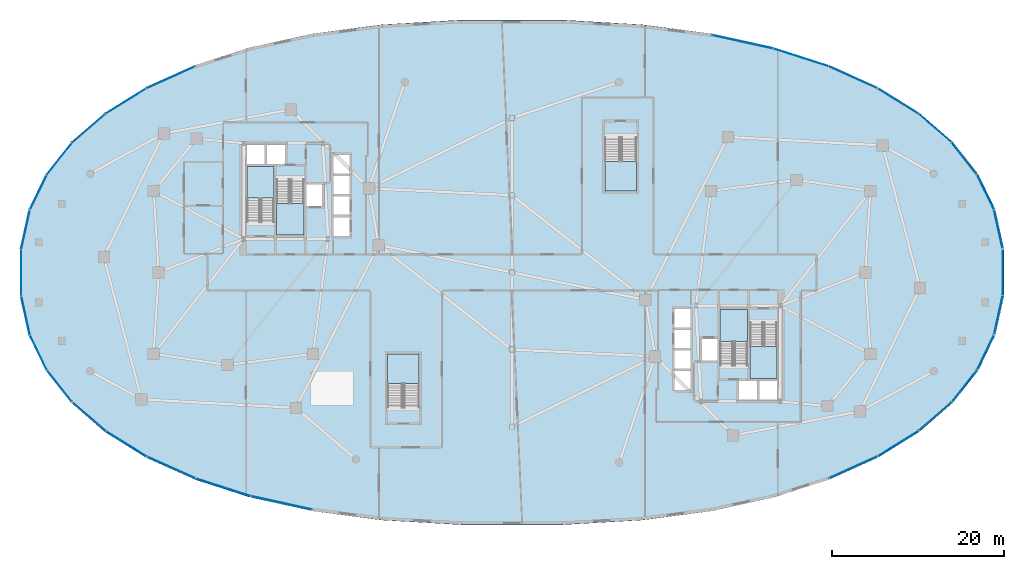
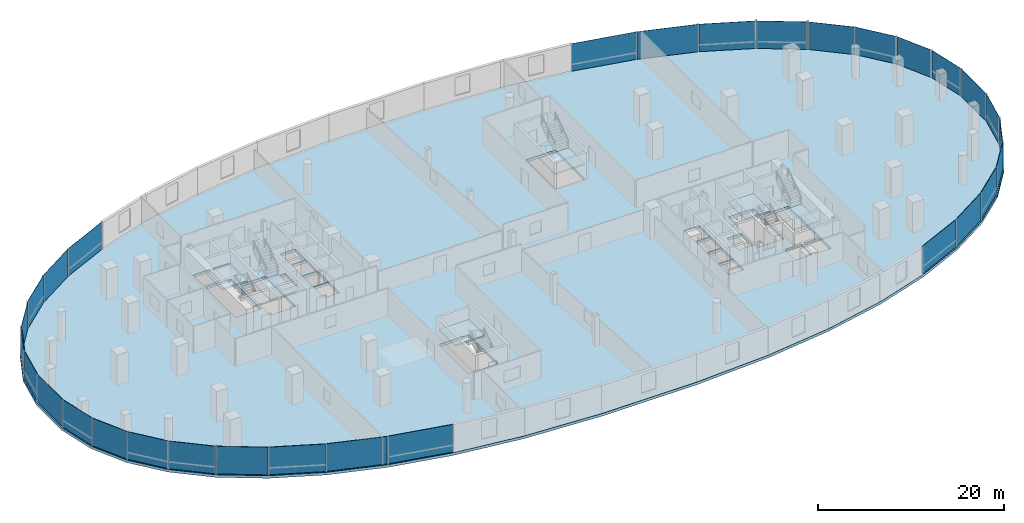
# One storey, part 11 of 19: 30 plates, 7 slabs, 13 elements without a shape of their own.
"""IFC4 building model written with IfcOpenShell, lengths in metres."""

from ifc_helpers import new_model, si_unit, direction, frame, origin, origin_2d, place, context, subcontext, project, spatial, polyline, rectangle, outline, extrude, material, layer, layer_set, type_object, element, aggregate, save


model = new_model("IFC4")

# Units and contexts
model_context = context("Model", 3, precision=1e-05, world=origin(), true_north=direction((0.0, 1.0)))
body_context = subcontext(model_context, "Body", "Model", "MODEL_VIEW")
ifc_project = project(units=[si_unit("LENGTHUNIT", "METRE"), si_unit("AREAUNIT", "SQUARE_METRE"), si_unit("VOLUMEUNIT", "CUBIC_METRE"), si_unit("PLANEANGLEUNIT", "RADIAN"), si_unit("MASSUNIT", "GRAM", prefix="KILO"), si_unit("THERMODYNAMICTEMPERATUREUNIT", "KELVIN"), si_unit("POWERUNIT", "WATT")], contexts=[model_context])

# Site, building, storey
site_placement = place(None, origin())
site = spatial("IfcSite", under=ifc_project, at=site_placement, CompositionType="ELEMENT")
building_placement = place(site_placement, origin())
building = spatial("IfcBuilding", under=site, at=building_placement, Name="Cundina Bronze Exchange", CompositionType="ELEMENT")
storey_placement = place(building_placement, frame((0.0, 0.0, 16.0)))
storey = spatial("IfcBuildingStorey", under=building, at=storey_placement, Name="L03", CompositionType="ELEMENT", Elevation=16.0)

# Curtain wall, plates
ifc_material_1 = material(Name="Anodised Bronze Aluminium 6063-T6", Category="aluminium")
curtain_wall_type = type_object("IfcCurtainWallType", Name="CWS-POD-CONC", PredefinedType="NOTDEFINED", material=ifc_material_1)
curtain_wall_1_placement = place(storey_placement, origin())
curtain_wall_1 = element("IfcCurtainWall", 1, at=curtain_wall_1_placement, inside=storey, type_object=curtain_wall_type, Name="L03 CW-01 Curtain Wall Run CWR-L03-01", PredefinedType="NOTDEFINED")
ifc_material_2 = material(Name="Heat-Strengthened Solar-Control Bronze Safety Glass 28mm", Category="glass")
ifc_layer_1 = layer(ifc_material_2, 0.033935546875, Name="Heat-Strengthened Solar-Control Bronze Safety Glass 28mm", Category="glass")
ifc_layer_set_1 = layer_set([ifc_layer_1], Name="Heat-Strengthened Solar-Control Bronze Safety Glass 28mm")
plate_type_1 = type_object("IfcPlateType", Name="PLT-GLZ-POD34", PredefinedType="CURTAIN_PANEL", material=ifc_layer_set_1)
plate_1_placement = place(storey_placement, frame((56.7294921875, 4.99951171875, 0.02001953125), z_axis=(0.0, 0.0, 1.0), x_axis=(-0.214496674701, 0.976724718916, 0.0)))
plate_1 = element("IfcPlate", 2, at=plate_1_placement, type_object=plate_type_1, Name="CW-01 Glazed Panel 1", PredefinedType="CURTAIN_PANEL", context=body_context, shape_type="SweptSolid", body=[
    extrude(rectangle(XDim=4.60009765625, YDim=0.033935546875, at=origin_2d()), origin(), (0.0, 0.0, 1.0), 3.610107421875),
])
plate_2_placement = place(storey_placement, frame((55.237548828125, 9.3232421875, 0.02001953125), z_axis=(0.0, 0.0, 1.0), x_axis=(-0.435765282624, 0.900060341566, 0.0)))
plate_2 = element("IfcPlate", 3, at=plate_2_placement, type_object=plate_type_1, Name="CW-01 Glazed Panel 2", PredefinedType="CURTAIN_PANEL", context=body_context, shape_type="SweptSolid", body=[
    extrude(rectangle(XDim=4.499755859375, YDim=0.033935546875, at=origin_2d()), origin(), (0.0, 0.0, 1.0), 3.610107421875),
])
plate_3_placement = place(storey_placement, frame((52.768798828125, 13.24462890625, 0.02001953125), z_axis=(0.0, 0.0, 1.0), x_axis=(-0.619463952441, 0.785025102545, 0.0)))
plate_3 = element("IfcPlate", 4, at=plate_3_placement, type_object=plate_type_1, Name="CW-01 Glazed Panel 3", PredefinedType="CURTAIN_PANEL", context=body_context, shape_type="SweptSolid", body=[
    extrude(rectangle(XDim=4.7060546875, YDim=0.033935546875, at=origin_2d()), origin(), (0.0, 0.0, 1.0), 3.610107421875),
])
plate_4_placement = place(storey_placement, frame((49.346923828125, 16.802490234375, 0.02001953125), z_axis=(0.0, 0.0, 1.0), x_axis=(-0.755556279398, 0.655083741717, 0.0)))
plate_4 = element("IfcPlate", 5, at=plate_4_placement, type_object=plate_type_1, Name="CW-01 Glazed Panel 4", PredefinedType="CURTAIN_PANEL", context=body_context, shape_type="SweptSolid", body=[
    extrude(rectangle(XDim=5.0849609375, YDim=0.033935546875, at=origin_2d()), origin(), (0.0, 0.0, 1.0), 3.610107421875),
])

curtain_wall_2_placement = place(storey_placement, origin())
curtain_wall_2 = element("IfcCurtainWall", 6, at=curtain_wall_2_placement, inside=storey, type_object=curtain_wall_type, Name="L03 CW-01 Curtain Wall Run CWR-L03-02", PredefinedType="NOTDEFINED")
plate_5_placement = place(storey_placement, frame((39.789794921875, 22.73876953125, 0.02001953125), z_axis=(0.0, 0.0, 1.0), x_axis=(-0.911647313688, 0.41097344859, 0.0)))
plate_5 = element("IfcPlate", 7, at=plate_5_placement, type_object=plate_type_1, Name="CW-01 Glazed Panel 1", PredefinedType="CURTAIN_PANEL", context=body_context, shape_type="SweptSolid", body=[
    extrude(rectangle(XDim=6.11962890625, YDim=0.033935546875, at=origin_2d()), origin(), (0.0, 0.0, 1.0), 3.610107421875),
])
plate_6_placement = place(storey_placement, frame((33.738037109375, 25.051513671875, 0.02001953125), z_axis=(0.0, 0.0, 1.0), x_axis=(-0.951840858876, 0.306592529873, 0.0)))
plate_6 = element("IfcPlate", 8, at=plate_6_placement, type_object=plate_type_1, Name="CW-01 Glazed Panel 2", PredefinedType="CURTAIN_PANEL", context=body_context, shape_type="SweptSolid", body=[
    extrude(rectangle(XDim=6.71044921875, YDim=0.033935546875, at=origin_2d()), origin(), (0.0, 0.0, 1.0), 3.610107421875),
])
plate_7_placement = place(storey_placement, frame((26.882568359375, 26.884765625, 0.02001953125), z_axis=(0.0, 0.0, 1.0), x_axis=(-0.9769078017, 0.213661290314, 0.0)))
plate_7 = element("IfcPlate", 9, at=plate_7_placement, type_object=plate_type_1, Name="CW-01 Glazed Panel 3", PredefinedType="CURTAIN_PANEL", context=body_context, shape_type="SweptSolid", body=[
    extrude(rectangle(XDim=7.3466796875, YDim=0.033935546875, at=origin_2d()), origin(), (0.0, 0.0, 1.0), 3.610107421875),
])
aggregate(curtain_wall_2, [plate_5, plate_6, plate_7])

curtain_wall_3_placement = place(storey_placement, origin())
curtain_wall_3 = element("IfcCurtainWall", 10, at=curtain_wall_3_placement, inside=storey, type_object=curtain_wall_type, Name="L03 CW-01 Curtain Wall Run CWR-L03-03", PredefinedType="NOTDEFINED")
plate_8_placement = place(storey_placement, frame((-39.789794921875, 22.73876953125, 0.02001953125), z_axis=(0.0, 0.0, 1.0), x_axis=(-0.911647313688, -0.41097344859, 0.0)))
plate_8 = element("IfcPlate", 11, at=plate_8_placement, type_object=plate_type_1, Name="CW-01 Glazed Panel 1", PredefinedType="CURTAIN_PANEL", context=body_context, shape_type="SweptSolid", body=[
    extrude(rectangle(XDim=6.11962890625, YDim=0.033935546875, at=origin_2d()), origin(), (0.0, 0.0, 1.0), 3.610107421875),
])
plate_9_placement = place(storey_placement, frame((-45.007080078125, 19.977783203125, 0.02001953125), z_axis=(0.0, 0.0, 1.0), x_axis=(-0.849294333819, -0.527919628867, 0.0)))
plate_9 = element("IfcPlate", 12, at=plate_9_placement, type_object=plate_type_1, Name="CW-01 Glazed Panel 2", PredefinedType="CURTAIN_PANEL", context=body_context, shape_type="SweptSolid", body=[
    extrude(rectangle(XDim=5.570068359375, YDim=0.033935546875, at=origin_2d()), origin(), (0.0, 0.0, 1.0), 3.610107421875),
])
plate_10_placement = place(storey_placement, frame((-52.768798828125, 13.24462890625, 0.02001953125), z_axis=(0.0, 0.0, 1.0), x_axis=(-0.619463952441, -0.785025102545, 0.0)))
plate_10 = element("IfcPlate", 13, at=plate_10_placement, type_object=plate_type_1, Name="CW-01 Glazed Panel 4", PredefinedType="CURTAIN_PANEL", context=body_context, shape_type="SweptSolid", body=[
    extrude(rectangle(XDim=4.7060546875, YDim=0.033935546875, at=origin_2d()), origin(), (0.0, 0.0, 1.0), 3.610107421875),
])
plate_11_placement = place(storey_placement, frame((-55.237548828125, 9.3232421875, 0.02001953125), z_axis=(0.0, 0.0, 1.0), x_axis=(-0.435765282624, -0.900060341566, 0.0)))
plate_11 = element("IfcPlate", 14, at=plate_11_placement, type_object=plate_type_1, Name="CW-01 Glazed Panel 5", PredefinedType="CURTAIN_PANEL", context=body_context, shape_type="SweptSolid", body=[
    extrude(rectangle(XDim=4.499755859375, YDim=0.033935546875, at=origin_2d()), origin(), (0.0, 0.0, 1.0), 3.610107421875),
])

curtain_wall_4_placement = place(storey_placement, origin())
curtain_wall_4 = element("IfcCurtainWall", 15, at=curtain_wall_4_placement, inside=storey, type_object=curtain_wall_type, Name="L03 CW-01 Curtain Wall Run CWR-L03-04", PredefinedType="NOTDEFINED")
plate_12_placement = place(storey_placement, frame((-56.7294921875, 4.99951171875, 0.02001953125), z_axis=(0.0, 0.0, 1.0), x_axis=(-0.214496674701, -0.976724718916, 0.0)))
plate_12 = element("IfcPlate", 16, at=plate_12_placement, type_object=plate_type_1, Name="CW-01 Glazed Panel 1", PredefinedType="CURTAIN_PANEL", context=body_context, shape_type="SweptSolid", body=[
    extrude(rectangle(XDim=4.60009765625, YDim=0.033935546875, at=origin_2d()), origin(), (0.0, 0.0, 1.0), 3.610107421875),
])
plate_13_placement = place(storey_placement, frame((-56.7294921875, -4.99951171875, 0.02001953125), z_axis=(0.0, 0.0, 1.0), x_axis=(0.214496674701, -0.976724718916, 0.0)))
plate_13 = element("IfcPlate", 17, at=plate_13_placement, type_object=plate_type_1, Name="CW-01 Glazed Panel 3", PredefinedType="CURTAIN_PANEL", context=body_context, shape_type="SweptSolid", body=[
    extrude(rectangle(XDim=4.60009765625, YDim=0.033935546875, at=origin_2d()), origin(), (0.0, 0.0, 1.0), 3.610107421875),
])
plate_14_placement = place(storey_placement, frame((-55.237548828125, -9.3232421875, 0.02001953125), z_axis=(0.0, 0.0, 1.0), x_axis=(0.435765282624, -0.900060341566, 0.0)))
plate_14 = element("IfcPlate", 18, at=plate_14_placement, type_object=plate_type_1, Name="CW-01 Glazed Panel 4", PredefinedType="CURTAIN_PANEL", context=body_context, shape_type="SweptSolid", body=[
    extrude(rectangle(XDim=4.499755859375, YDim=0.033935546875, at=origin_2d()), origin(), (0.0, 0.0, 1.0), 3.610107421875),
])
plate_15_placement = place(storey_placement, frame((-52.768798828125, -13.24462890625, 0.02001953125), z_axis=(0.0, 0.0, 1.0), x_axis=(0.619463952441, -0.785025102545, 0.0)))
plate_15 = element("IfcPlate", 19, at=plate_15_placement, type_object=plate_type_1, Name="CW-01 Glazed Panel 5", PredefinedType="CURTAIN_PANEL", context=body_context, shape_type="SweptSolid", body=[
    extrude(rectangle(XDim=4.7060546875, YDim=0.033935546875, at=origin_2d()), origin(), (0.0, 0.0, 1.0), 3.610107421875),
])

curtain_wall_5_placement = place(storey_placement, origin())
curtain_wall_5 = element("IfcCurtainWall", 20, at=curtain_wall_5_placement, inside=storey, type_object=curtain_wall_type, Name="L03 CW-01 Curtain Wall Run CWR-L03-05", PredefinedType="NOTDEFINED")
plate_16_placement = place(storey_placement, frame((-45.007080078125, -19.977783203125, 0.02001953125), z_axis=(0.0, 0.0, 1.0), x_axis=(0.849294333819, -0.527919628867, 0.0)))
plate_16 = element("IfcPlate", 21, at=plate_16_placement, type_object=plate_type_1, Name="CW-01 Glazed Panel 2", PredefinedType="CURTAIN_PANEL", context=body_context, shape_type="SweptSolid", body=[
    extrude(rectangle(XDim=5.570068359375, YDim=0.033935546875, at=origin_2d()), origin(), (0.0, 0.0, 1.0), 3.610107421875),
])
plate_17_placement = place(storey_placement, frame((-39.789794921875, -22.73876953125, 0.02001953125), z_axis=(0.0, 0.0, 1.0), x_axis=(0.911647313688, -0.41097344859, 0.0)))
plate_17 = element("IfcPlate", 22, at=plate_17_placement, type_object=plate_type_1, Name="CW-01 Glazed Panel 3", PredefinedType="CURTAIN_PANEL", context=body_context, shape_type="SweptSolid", body=[
    extrude(rectangle(XDim=6.11962890625, YDim=0.033935546875, at=origin_2d()), origin(), (0.0, 0.0, 1.0), 3.610107421875),
])
plate_18_placement = place(storey_placement, frame((-33.738037109375, -25.051513671875, 0.02001953125), z_axis=(0.0, 0.0, 1.0), x_axis=(0.951840858876, -0.306592529873, 0.0)))
plate_18 = element("IfcPlate", 23, at=plate_18_placement, type_object=plate_type_1, Name="CW-01 Glazed Panel 4", PredefinedType="CURTAIN_PANEL", context=body_context, shape_type="SweptSolid", body=[
    extrude(rectangle(XDim=6.71044921875, YDim=0.033935546875, at=origin_2d()), origin(), (0.0, 0.0, 1.0), 3.610107421875),
])
plate_19_placement = place(storey_placement, frame((-26.882568359375, -26.884765625, 0.02001953125), z_axis=(0.0, 0.0, 1.0), x_axis=(0.9769078017, -0.213661290314, 0.0)))
plate_19 = element("IfcPlate", 24, at=plate_19_placement, type_object=plate_type_1, Name="CW-01 Glazed Panel 5", PredefinedType="CURTAIN_PANEL", context=body_context, shape_type="SweptSolid", body=[
    extrude(rectangle(XDim=7.3466796875, YDim=0.033935546875, at=origin_2d()), origin(), (0.0, 0.0, 1.0), 3.610107421875),
])

curtain_wall_6_placement = place(storey_placement, origin())
curtain_wall_6 = element("IfcCurtainWall", 25, at=curtain_wall_6_placement, inside=storey, type_object=curtain_wall_type, Name="L03 CW-01 Curtain Wall Run CWR-L03-06", PredefinedType="NOTDEFINED")
plate_20_placement = place(storey_placement, frame((39.789794921875, -22.73876953125, 0.02001953125), z_axis=(0.0, 0.0, 1.0), x_axis=(0.911647313688, 0.41097344859, 0.0)))
plate_20 = element("IfcPlate", 26, at=plate_20_placement, type_object=plate_type_1, Name="CW-01 Glazed Panel 1", PredefinedType="CURTAIN_PANEL", context=body_context, shape_type="SweptSolid", body=[
    extrude(rectangle(XDim=6.11962890625, YDim=0.033935546875, at=origin_2d()), origin(), (0.0, 0.0, 1.0), 3.610107421875),
])
plate_21_placement = place(storey_placement, frame((45.007080078125, -19.977783203125, 0.02001953125), z_axis=(0.0, 0.0, 1.0), x_axis=(0.849294333819, 0.527919628867, 0.0)))
plate_21 = element("IfcPlate", 27, at=plate_21_placement, type_object=plate_type_1, Name="CW-01 Glazed Panel 2", PredefinedType="CURTAIN_PANEL", context=body_context, shape_type="SweptSolid", body=[
    extrude(rectangle(XDim=5.570068359375, YDim=0.033935546875, at=origin_2d()), origin(), (0.0, 0.0, 1.0), 3.610107421875),
])
plate_22_placement = place(storey_placement, frame((49.346923828125, -16.802490234375, 0.02001953125), z_axis=(0.0, 0.0, 1.0), x_axis=(0.755556279398, 0.655083741717, 0.0)))
plate_22 = element("IfcPlate", 28, at=plate_22_placement, type_object=plate_type_1, Name="CW-01 Glazed Panel 3", PredefinedType="CURTAIN_PANEL", context=body_context, shape_type="SweptSolid", body=[
    extrude(rectangle(XDim=5.0849609375, YDim=0.033935546875, at=origin_2d()), origin(), (0.0, 0.0, 1.0), 3.610107421875),
])
plate_23_placement = place(storey_placement, frame((52.768798828125, -13.24462890625, 0.02001953125), z_axis=(0.0, 0.0, 1.0), x_axis=(0.619463952441, 0.785025102545, 0.0)))
plate_23 = element("IfcPlate", 29, at=plate_23_placement, type_object=plate_type_1, Name="CW-01 Glazed Panel 4", PredefinedType="CURTAIN_PANEL", context=body_context, shape_type="SweptSolid", body=[
    extrude(rectangle(XDim=4.7060546875, YDim=0.033935546875, at=origin_2d()), origin(), (0.0, 0.0, 1.0), 3.610107421875),
])

curtain_wall_7_placement = place(storey_placement, origin())
curtain_wall_7 = element("IfcCurtainWall", 30, at=curtain_wall_7_placement, inside=storey, type_object=curtain_wall_type, Name="L03 CW-01 Curtain Wall Run CWR-L03-07", PredefinedType="NOTDEFINED")
plate_24_placement = place(storey_placement, frame((56.7294921875, -4.99951171875, 0.02001953125), z_axis=(0.0, 0.0, 1.0), x_axis=(0.214496674701, 0.976724718916, 0.0)))
plate_24 = element("IfcPlate", 31, at=plate_24_placement, type_object=plate_type_1, Name="CW-01 Glazed Panel 1", PredefinedType="CURTAIN_PANEL", context=body_context, shape_type="SweptSolid", body=[
    extrude(rectangle(XDim=4.60009765625, YDim=0.033935546875, at=origin_2d()), origin(), (0.0, 0.0, 1.0), 3.610107421875),
])
plate_25_placement = place(storey_placement, frame((57.22900390625, 0.0, 0.02001953125), z_axis=(0.0, 0.0, 1.0), x_axis=(0.0, 1.0, 0.0)))
plate_25 = element("IfcPlate", 32, at=plate_25_placement, type_object=plate_type_1, Name="CW-01 Glazed Panel 2", PredefinedType="CURTAIN_PANEL", context=body_context, shape_type="SweptSolid", body=[
    extrude(rectangle(XDim=5.389892578125, YDim=0.033935546875, at=origin_2d()), origin(), (0.0, 0.0, 1.0), 3.610107421875),
])
aggregate(curtain_wall_7, [plate_24, plate_25])

# Plate
ifc_material_3 = material(Name="Dark Bronze Spandrel Glass Panel 32mm", Category="glass")
ifc_layer_2 = layer(ifc_material_3, 0.031982421875, Name="Dark Bronze Spandrel Glass Panel 32mm", Category="glass")
ifc_layer_set_2 = layer_set([ifc_layer_2], Name="Dark Bronze Spandrel Glass Panel 32mm")
plate_type_2 = type_object("IfcPlateType", Name="PLT-SPN-BRZ32", PredefinedType="CURTAIN_PANEL", material=ifc_layer_set_2)
plate_26_placement = place(storey_placement, frame((45.007080078125, 19.977783203125, 0.02001953125), z_axis=(0.0, 0.0, 1.0), x_axis=(-0.849294333819, 0.527919628867, 0.0)))
plate_26 = element("IfcPlate", 33, at=plate_26_placement, type_object=plate_type_2, Name="CW-01 Glazed Panel 5", PredefinedType="CURTAIN_PANEL", context=body_context, shape_type="SweptSolid", body=[
    extrude(rectangle(XDim=5.570068359375, YDim=0.031982421875, at=origin_2d()), origin(), (0.0, 0.0, 1.0), 3.610107421875),
])

aggregate(curtain_wall_1, [plate_1, plate_2, plate_3, plate_4, plate_26])

plate_27_placement = place(storey_placement, frame((-49.346923828125, 16.802490234375, 0.02001953125), z_axis=(0.0, 0.0, 1.0), x_axis=(-0.755556279398, -0.655083741717, 0.0)))
plate_27 = element("IfcPlate", 34, at=plate_27_placement, type_object=plate_type_2, Name="CW-01 Glazed Panel 3", PredefinedType="CURTAIN_PANEL", context=body_context, shape_type="SweptSolid", body=[
    extrude(rectangle(XDim=5.0849609375, YDim=0.031982421875, at=origin_2d()), origin(), (0.0, 0.0, 1.0), 3.610107421875),
])

aggregate(curtain_wall_3, [plate_8, plate_9, plate_27, plate_10, plate_11])

plate_28_placement = place(storey_placement, frame((-57.22900390625, 0.0, 0.02001953125), z_axis=(0.0, 0.0, 1.0), x_axis=(0.0, -1.0, 0.0)))
plate_28 = element("IfcPlate", 35, at=plate_28_placement, type_object=plate_type_2, Name="CW-01 Glazed Panel 2", PredefinedType="CURTAIN_PANEL", context=body_context, shape_type="SweptSolid", body=[
    extrude(rectangle(XDim=5.389892578125, YDim=0.031982421875, at=origin_2d()), origin(), (0.0, 0.0, 1.0), 3.610107421875),
])

aggregate(curtain_wall_4, [plate_12, plate_28, plate_13, plate_14, plate_15])

plate_29_placement = place(storey_placement, frame((-49.346923828125, -16.802490234375, 0.02001953125), z_axis=(0.0, 0.0, 1.0), x_axis=(0.755556279398, -0.655083741717, 0.0)))
plate_29 = element("IfcPlate", 36, at=plate_29_placement, type_object=plate_type_2, Name="CW-01 Glazed Panel 1", PredefinedType="CURTAIN_PANEL", context=body_context, shape_type="SweptSolid", body=[
    extrude(rectangle(XDim=5.0849609375, YDim=0.031982421875, at=origin_2d()), origin(), (0.0, 0.0, 1.0), 3.610107421875),
])

aggregate(curtain_wall_5, [plate_29, plate_16, plate_17, plate_18, plate_19])

plate_30_placement = place(storey_placement, frame((55.237548828125, -9.3232421875, 0.02001953125), z_axis=(0.0, 0.0, 1.0), x_axis=(0.435765282624, 0.900060341566, 0.0)))
plate_30 = element("IfcPlate", 37, at=plate_30_placement, type_object=plate_type_2, Name="CW-01 Glazed Panel 5", PredefinedType="CURTAIN_PANEL", context=body_context, shape_type="SweptSolid", body=[
    extrude(rectangle(XDim=4.499755859375, YDim=0.031982421875, at=origin_2d()), origin(), (0.0, 0.0, 1.0), 3.610107421875),
])

aggregate(curtain_wall_6, [plate_20, plate_21, plate_22, plate_23, plate_30])

# Stair, slab
ifc_material_4 = material(Name="Concrete C40/50", Category="concrete")
stair_type_1 = type_object("IfcStairType", Name="STR-POD-400", PredefinedType="HALF_TURN_STAIR", material=ifc_material_4)
stair_1_placement = place(storey_placement, origin())
stair_1 = element("IfcStair", 38, at=stair_1_placement, inside=storey, type_object=stair_type_1, Name="L03 Smokeproof Exit Stair W1", PredefinedType="HALF_TURN_STAIR")
ifc_layer_3 = layer(ifc_material_4, 0.199951171875, Name="Concrete C40/50", Category="concrete")
ifc_layer_set_3 = layer_set([ifc_layer_3], Name="Concrete C40/50")
slab_type_1 = type_object("IfcSlabType", Name="SLB-LND-200", PredefinedType="LANDING", material=ifc_layer_set_3)
slab_1_placement = place(storey_placement, frame((0.0, 0.0, 1.800048828125)))
slab_1 = element("IfcSlab", 39, at=slab_1_placement, type_object=slab_type_1, Name="ST-W1 landing 1", PredefinedType="LANDING", context=body_context, shape_type="SweptSolid", body=[
    extrude(outline(polyline([(-27.739990234375, 8.64990234375), (-27.739990234375, 12.35009765625), (-30.89990234375, 12.35009765625), (-30.89990234375, 8.64990234375), (-27.739990234375, 8.64990234375)])), origin(), (0.0, 0.0, 1.0), 0.199951171875),
])
aggregate(stair_1, [slab_1])

stair_2_placement = place(storey_placement, origin())
stair_2 = element("IfcStair", 40, at=stair_2_placement, inside=storey, type_object=stair_type_1, Name="L03 Smokeproof Exit Stair W2", PredefinedType="HALF_TURN_STAIR")
slab_2_placement = place(storey_placement, frame((0.0, 0.0, 1.800048828125)))
slab_2 = element("IfcSlab", 41, at=slab_2_placement, type_object=slab_type_1, Name="ST-W2 landing 1", PredefinedType="LANDING", context=body_context, shape_type="SweptSolid", body=[
    extrude(outline(polyline([(-27.43994140625, 8.050048828125), (-27.43994140625, 4.35009765625), (-24.280029296875, 4.35009765625), (-24.280029296875, 8.050048828125), (-27.43994140625, 8.050048828125)])), origin(), (0.0, 0.0, 1.0), 0.199951171875),
])
aggregate(stair_2, [slab_2])

stair_3_placement = place(storey_placement, origin())
stair_3 = element("IfcStair", 42, at=stair_3_placement, inside=storey, type_object=stair_type_1, Name="L03 Smokeproof Exit Stair E1", PredefinedType="HALF_TURN_STAIR")
slab_3_placement = place(storey_placement, frame((0.0, 0.0, 1.800048828125)))
slab_3 = element("IfcSlab", 43, at=slab_3_placement, type_object=slab_type_1, Name="ST-E1 landing 1", PredefinedType="LANDING", context=body_context, shape_type="SweptSolid", body=[
    extrude(outline(polyline([(27.739990234375, -8.64990234375), (27.739990234375, -12.35009765625), (30.89990234375, -12.35009765625), (30.89990234375, -8.64990234375), (27.739990234375, -8.64990234375)])), origin(), (0.0, 0.0, 1.0), 0.199951171875),
])
aggregate(stair_3, [slab_3])

stair_4_placement = place(storey_placement, origin())
stair_4 = element("IfcStair", 44, at=stair_4_placement, inside=storey, type_object=stair_type_1, Name="L03 Smokeproof Exit Stair E2", PredefinedType="HALF_TURN_STAIR")
slab_4_placement = place(storey_placement, frame((0.0, 0.0, 1.800048828125)))
slab_4 = element("IfcSlab", 45, at=slab_4_placement, type_object=slab_type_1, Name="ST-E2 landing 1", PredefinedType="LANDING", context=body_context, shape_type="SweptSolid", body=[
    extrude(outline(polyline([(27.43994140625, -8.050048828125), (27.43994140625, -4.35009765625), (24.280029296875, -4.35009765625), (24.280029296875, -8.050048828125), (27.43994140625, -8.050048828125)])), origin(), (0.0, 0.0, 1.0), 0.199951171875),
])
aggregate(stair_4, [slab_4])

stair_type_2 = type_object("IfcStairType", Name="STR-CON-600", PredefinedType="STRAIGHT_RUN_STAIR", material=ifc_material_4)
stair_5_placement = place(storey_placement, origin())
stair_5 = element("IfcStair", 46, at=stair_5_placement, inside=storey, type_object=stair_type_2, Name="L03 Concourse Exchange Stair W", PredefinedType="HALF_TURN_STAIR")
slab_5_placement = place(storey_placement, frame((0.0, 0.0, 1.800048828125)))
slab_5 = element("IfcSlab", 47, at=slab_5_placement, type_object=slab_type_1, Name="ST-PW landing 1", PredefinedType="LANDING", context=body_context, shape_type="SweptSolid", body=[
    extrude(outline(polyline([(-10.820068359375, -12.949951171875), (-10.820068359375, -9.5), (-14.52001953125, -9.5), (-14.52001953125, -12.949951171875), (-10.820068359375, -12.949951171875)])), origin(), (0.0, 0.0, 1.0), 0.199951171875),
])
aggregate(stair_5, [slab_5])

stair_6_placement = place(storey_placement, origin())
stair_6 = element("IfcStair", 48, at=stair_6_placement, inside=storey, type_object=stair_type_2, Name="L03 Concourse Exchange Stair E", PredefinedType="HALF_TURN_STAIR")
slab_6_placement = place(storey_placement, frame((0.0, 0.0, 1.800048828125)))
slab_6 = element("IfcSlab", 49, at=slab_6_placement, type_object=slab_type_1, Name="ST-PE landing 1", PredefinedType="LANDING", context=body_context, shape_type="SweptSolid", body=[
    extrude(outline(polyline([(10.820068359375, 12.949951171875), (10.820068359375, 9.5), (14.52001953125, 9.5), (14.52001953125, 12.949951171875), (10.820068359375, 12.949951171875)])), origin(), (0.0, 0.0, 1.0), 0.199951171875),
])
aggregate(stair_6, [slab_6])

# Slab
ifc_material_5 = material(Name="Concrete C50/60", Category="concrete")
ifc_layer_4 = layer(ifc_material_5, 0.35009765625, Name="Concrete C50/60", Category="concrete")
ifc_layer_set_4 = layer_set([ifc_layer_4], Name="Concrete C50/60")
slab_type_2 = type_object("IfcSlabType", Name="SLB-POD-350", PredefinedType="FLOOR", material=ifc_layer_set_4)
slab_7_placement = place(storey_placement, frame((0.0, 0.0, -0.35009765625)))
element("IfcSlab", 50, at=slab_7_placement, inside=storey, type_object=slab_type_2, Name="L03 Podium Structural Floor Slab", PredefinedType="FLOOR", context=body_context, shape_type="SweptSolid", body=[
    extrude(outline(polyline([(57.3740234375, 2.739990234375), (56.367919921875, 7.321044921875), (54.367919921875, 11.451904296875), (51.39697265625, 15.217041015625), (47.487060546875, 18.60693359375), (42.679931640625, 21.594970703125), (37.01904296875, 24.14697265625), (30.5458984375, 26.23193359375), (23.281005859375, 27.821044921875), (15.180908203125, 28.89306640625), (5.93603515625, 29.431884765625), (-5.93603515625, 29.431884765625), (-15.180908203125, 28.89306640625), (-23.281005859375, 27.821044921875), (-30.5458984375, 26.23193359375), (-37.01904296875, 24.14697265625), (-42.679931640625, 21.594970703125), (-47.487060546875, 18.60693359375), (-51.39697265625, 15.217041015625), (-54.367919921875, 11.451904296875), (-56.367919921875, 7.321044921875), (-57.3740234375, 2.739990234375), (-57.3740234375, -2.739990234375), (-56.367919921875, -7.321044921875), (-54.367919921875, -11.451904296875), (-51.39697265625, -15.217041015625), (-47.487060546875, -18.60693359375), (-42.679931640625, -21.594970703125), (-37.01904296875, -24.14697265625), (-30.5458984375, -26.23193359375), (-23.281005859375, -27.821044921875), (-15.180908203125, -28.89306640625), (-5.93603515625, -29.431884765625), (5.93603515625, -29.431884765625), (15.180908203125, -28.89306640625), (23.281005859375, -27.821044921875), (30.5458984375, -26.23193359375), (37.01904296875, -24.14697265625), (42.679931640625, -21.594970703125), (47.487060546875, -18.60693359375), (51.39697265625, -15.217041015625), (54.367919921875, -11.451904296875), (56.367919921875, -7.321044921875), (57.3740234375, -2.739990234375), (57.3740234375, 2.739990234375)]), holes=[polyline([(-27.739990234375, 5.85009765625), (-27.739990234375, 12.35009765625), (-30.89990234375, 12.35009765625), (-30.89990234375, 5.85009765625), (-27.739990234375, 5.85009765625)]), polyline([(-27.43994140625, 10.85009765625), (-27.43994140625, 4.35009765625), (-24.280029296875, 4.35009765625), (-24.280029296875, 10.85009765625), (-27.43994140625, 10.85009765625)]), polyline([(27.739990234375, -5.85009765625), (27.739990234375, -12.35009765625), (30.89990234375, -12.35009765625), (30.89990234375, -5.85009765625), (27.739990234375, -5.85009765625)]), polyline([(27.43994140625, -10.85009765625), (27.43994140625, -4.35009765625), (24.280029296875, -4.35009765625), (24.280029296875, -10.85009765625), (27.43994140625, -10.85009765625)]), polyline([(-10.820068359375, -15.75), (-10.820068359375, -9.5), (-14.52001953125, -9.5), (-14.52001953125, -15.75), (-10.820068359375, -15.75)]), polyline([(10.820068359375, 15.75), (10.820068359375, 9.5), (14.52001953125, 9.5), (14.52001953125, 15.75), (10.820068359375, 15.75)]), polyline([(-23.97998046875, 10.25), (-22.179931640625, 10.25), (-22.179931640625, 7.75), (-23.97998046875, 7.75), (-23.97998046875, 10.25)]), polyline([(-30.89990234375, 14.949951171875), (-28.85009765625, 14.949951171875), (-28.85009765625, 12.64990234375), (-30.89990234375, 12.64990234375), (-30.89990234375, 14.949951171875)]), polyline([(-28.550048828125, 14.949951171875), (-26.5, 14.949951171875), (-26.5, 12.64990234375), (-28.550048828125, 12.64990234375), (-28.550048828125, 14.949951171875)]), polyline([(-20.800048828125, 13.699951171875), (-18.949951171875, 13.699951171875), (-18.949951171875, 11.449951171875), (-20.800048828125, 11.449951171875), (-20.800048828125, 13.699951171875)]), polyline([(-20.800048828125, 11.300048828125), (-18.949951171875, 11.300048828125), (-18.949951171875, 9.050048828125), (-20.800048828125, 9.050048828125), (-20.800048828125, 11.300048828125)]), polyline([(-20.800048828125, 8.89990234375), (-18.949951171875, 8.89990234375), (-18.949951171875, 6.64990234375), (-20.800048828125, 6.64990234375), (-20.800048828125, 8.89990234375)]), polyline([(-20.800048828125, 6.5), (-18.949951171875, 6.5), (-18.949951171875, 4.25), (-20.800048828125, 4.25), (-20.800048828125, 6.5)]), polyline([(22.179931640625, -7.75), (23.97998046875, -7.75), (23.97998046875, -10.25), (22.179931640625, -10.25), (22.179931640625, -7.75)]), polyline([(28.85009765625, -12.64990234375), (30.89990234375, -12.64990234375), (30.89990234375, -14.949951171875), (28.85009765625, -14.949951171875), (28.85009765625, -12.64990234375)]), polyline([(26.5, -12.64990234375), (28.550048828125, -12.64990234375), (28.550048828125, -14.949951171875), (26.5, -14.949951171875), (26.5, -12.64990234375)]), polyline([(18.949951171875, -11.449951171875), (20.800048828125, -11.449951171875), (20.800048828125, -13.699951171875), (18.949951171875, -13.699951171875), (18.949951171875, -11.449951171875)]), polyline([(18.949951171875, -9.050048828125), (20.800048828125, -9.050048828125), (20.800048828125, -11.300048828125), (18.949951171875, -11.300048828125), (18.949951171875, -9.050048828125)]), polyline([(18.949951171875, -6.64990234375), (20.800048828125, -6.64990234375), (20.800048828125, -8.89990234375), (18.949951171875, -8.89990234375), (18.949951171875, -6.64990234375)]), polyline([(18.949951171875, -4.25), (20.800048828125, -4.25), (20.800048828125, -6.5), (18.949951171875, -6.5), (18.949951171875, -4.25)])]), origin(), (0.0, 0.0, 1.0), 0.35009765625),
])

save(model, "model.ifc")
